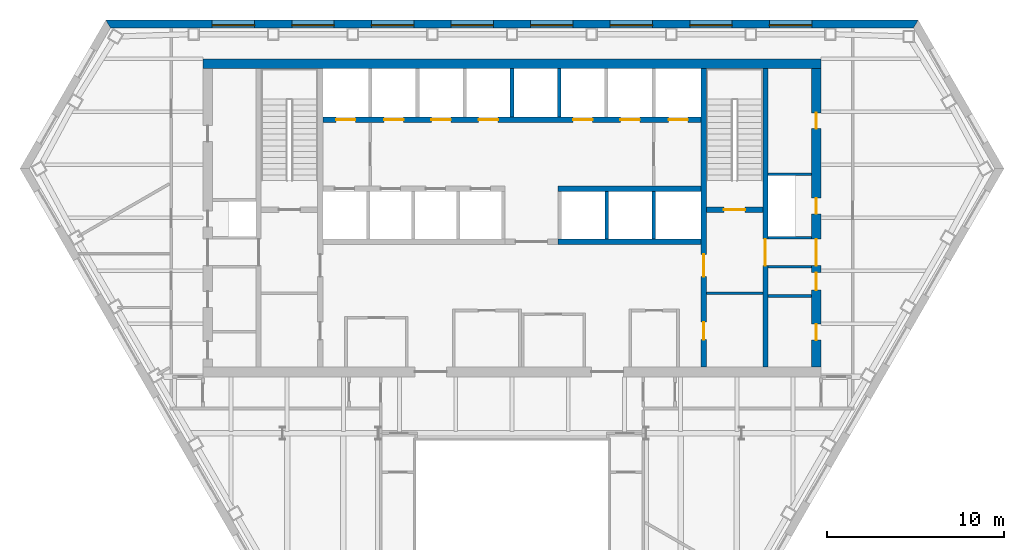
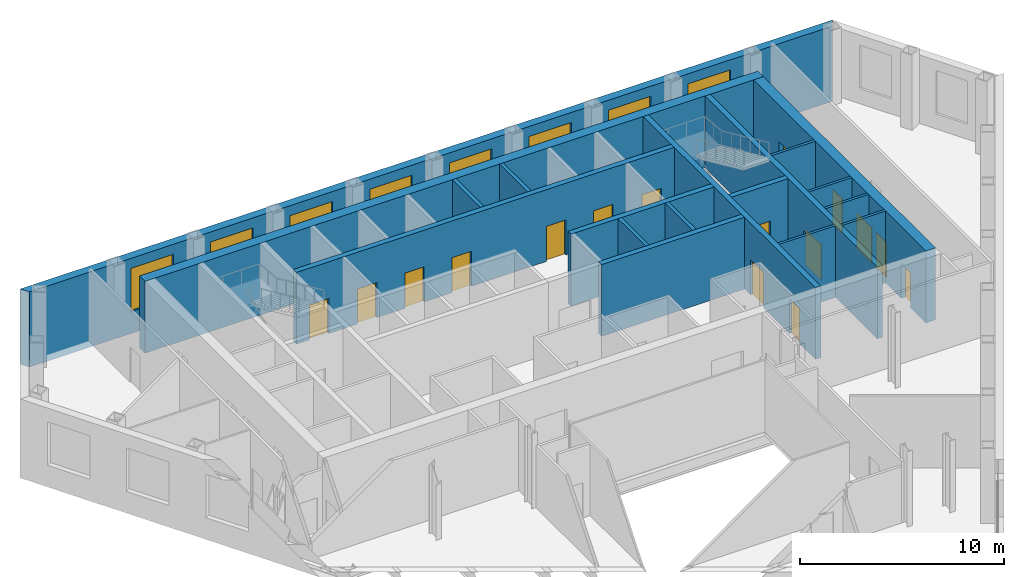
# One storey, part 7 of 11: 18 walls, 16 doors, 8 windows, 24 openings.
"""IFC4 building model written with IfcOpenShell, lengths in metres."""

from ifc_helpers import new_model, si_unit, direction, frame, frame_2d, origin, place, context, subcontext, project, spatial, polyline, rectangle, outline, extrude, material, layer, layer_set, type_object, element, fill, save


model = new_model("IFC4")

# Units and contexts
model_context = context("Model", 3, precision=1e-05, world=origin(), true_north=direction((0.0, 1.0)))
body_context = subcontext(model_context, "Body", "Model", "MODEL_VIEW")
ifc_project = project(units=[si_unit("LENGTHUNIT", "METRE"), si_unit("AREAUNIT", "SQUARE_METRE"), si_unit("VOLUMEUNIT", "CUBIC_METRE"), si_unit("PLANEANGLEUNIT", "RADIAN"), si_unit("MASSUNIT", "GRAM", prefix="KILO")], contexts=[model_context])

# Site, building, storey
site_placement = place(None, origin())
site = spatial("IfcSite", under=ifc_project, at=site_placement, CompositionType="ELEMENT")
building_placement = place(site_placement, origin())
building = spatial("IfcBuilding", under=site, at=building_placement, Name="Njiva Tower", CompositionType="ELEMENT")
storey_placement = place(building_placement, frame((0.0, 0.0, 120.3)))
storey = spatial("IfcBuildingStorey", under=building, at=storey_placement, Name="L25", CompositionType="ELEMENT", Elevation=120.3)

# Walls
ifc_material_1 = material(Name="Blockwork", Category="masonry")
ifc_layer_1 = layer(ifc_material_1, 0.15)
ifc_layer_set_1 = layer_set([ifc_layer_1], Name="Blockwork")
wall_type_1 = type_object("IfcWallType", Name="WT1 Compartment partition 150", PredefinedType="PARTITIONING", material=ifc_layer_set_1)
wall_1_placement = place(storey_placement, frame((11.0, 4.725, 0.0), z_axis=(0.0, 0.0, 1.0), x_axis=(1.0, 0.0, 0.0)))
element("IfcWall", 1, at=wall_1_placement, inside=storey, type_object=wall_type_1, Name="Room wall B", PredefinedType="PARTITIONING", context=body_context, shape_type="SweptSolid", body=[
    extrude(rectangle(XDim=3.2, YDim=0.15, at=frame_2d((1.6, 0.0))), origin(), (0.0, 0.0, 1.0), 4.3),
])
wall_2_placement = place(storey_placement, frame((14.5, 4.575, 0.0), z_axis=(0.0, 0.0, 1.0), x_axis=(1.0, 0.0, 0.0)))
element("IfcWall", 2, at=wall_2_placement, inside=storey, type_object=wall_type_1, Name="Partition strip E00", PredefinedType="PARTITIONING", context=body_context, shape_type="SweptSolid", body=[
    extrude(rectangle(XDim=2.45, YDim=0.15, at=frame_2d((1.225, 0.0))), origin(), (0.0, 0.0, 1.0), 4.3),
])

# Wall, openings, doors
ifc_material_2 = material(Name="Concrete C40/50", Category="concrete")
ifc_layer_2 = layer(ifc_material_2, 0.3)
ifc_layer_set_2 = layer_set([ifc_layer_2], Name="Concrete C40/50")
wall_type_2 = type_object("IfcWallType", Name="WT10 Stair enclosure wall 300", PredefinedType="SHEAR", material=ifc_layer_set_2)
wall_3_placement = place(storey_placement, frame((10.85, 0.55, 0.0), z_axis=(0.0, 0.0, 1.0), x_axis=(0.0, 1.0, 0.0)))
wall_3 = element("IfcWall", 3, at=wall_3_placement, inside=storey, type_object=wall_type_2, Name="Stair wall east inner", PredefinedType="SHEAR", context=body_context, shape_type="SweptSolid", body=[
    extrude(rectangle(XDim=16.9, YDim=0.3, at=frame_2d((8.45, 0.0))), origin(), (0.0, 0.0, 1.0), 4.3),
])
opening_1_placement = place(wall_3_placement, frame((5.125, 0.0, 0.0)))
opening_1 = element("IfcOpeningElement", 4, at=opening_1_placement, cuts=wall_3, Name="Opening S08-D918", PredefinedType="OPENING", context=body_context, shape_type="SweptSolid", body=[
    extrude(rectangle(XDim=1.25, YDim=2.1, at=frame_2d((0.625, 1.05))), frame((0.0, 0.16, 0.0), z_axis=(0.0, -1.0, 0.0), x_axis=(1.0, 0.0, 0.0)), (0.0, 0.0, 1.0), 0.32),
])
opening_2_placement = place(wall_3_placement, frame((1.55, 0.0, 0.0)))
opening_2 = element("IfcOpeningElement", 5, at=opening_2_placement, cuts=wall_3, Name="Opening S08-D919", PredefinedType="OPENING", context=body_context, shape_type="SweptSolid", body=[
    extrude(rectangle(XDim=1.0, YDim=2.1, at=frame_2d((0.5, 1.05))), frame((0.0, 0.16, 0.0), z_axis=(0.0, -1.0, 0.0), x_axis=(1.0, 0.0, 0.0)), (0.0, 0.0, 1.0), 0.32),
])
ifc_material_3 = material(Name="Steel door, painted", Category="steel")
door_type_1 = type_object("IfcDoorType", Name="D5 Steel door 1000x2100", OperationType="SINGLE_SWING_LEFT", PredefinedType="DOOR", material=ifc_material_3)
door_1_placement = place(opening_2_placement, origin())
door_1 = element("IfcDoor", 6, at=door_1_placement, inside=storey, type_object=door_type_1, Name="First aid room door", OperationType="SINGLE_SWING_LEFT", OverallHeight=2.1, OverallWidth=1.0, PredefinedType="DOOR", context=body_context, shape_type="SweptSolid", body=[
    extrude(rectangle(XDim=1.0, YDim=2.1, at=frame_2d((0.5, 1.05))), frame((0.0, 0.025, 0.0), z_axis=(0.0, -1.0, 0.0), x_axis=(1.0, 0.0, 0.0)), (0.0, 0.0, 1.0), 0.05),
])
fill(opening_2, door_1)
ifc_material_4 = material(Name="Glazed steel fire door", Category="steel")
door_type_2 = type_object("IfcDoorType", Name="D8 Vestibule corridor door 1250x2100 glazed", OperationType="SINGLE_SWING_LEFT", PredefinedType="DOOR", material=ifc_material_4)
door_2_placement = place(opening_1_placement, origin())
door_2 = element("IfcDoor", 7, at=door_2_placement, inside=storey, type_object=door_type_2, Name="Stair vestibule corridor door", OperationType="SINGLE_SWING_RIGHT", OverallHeight=2.1, OverallWidth=1.25, PredefinedType="DOOR", context=body_context, shape_type="SweptSolid", body=[
    extrude(rectangle(XDim=1.25, YDim=2.1, at=frame_2d((0.625, 1.05))), frame((0.0, 0.025, 0.0), z_axis=(0.0, -1.0, 0.0), x_axis=(1.0, 0.0, 0.0)), (0.0, 0.0, 1.0), 0.05),
])
fill(opening_1, door_2)

# Wall, opening, door
wall_4_placement = place(storey_placement, frame((14.35, 0.55, 0.0), z_axis=(0.0, 0.0, 1.0), x_axis=(0.0, 1.0, 0.0)))
wall_4 = element("IfcWall", 8, at=wall_4_placement, inside=storey, type_object=wall_type_2, Name="Stair wall east outer", PredefinedType="SHEAR", context=body_context, shape_type="SweptSolid", body=[
    extrude(rectangle(XDim=16.9, YDim=0.3, at=frame_2d((8.45, 0.0))), origin(), (0.0, 0.0, 1.0), 4.3),
])
opening_3_placement = place(wall_4_placement, frame((5.75, 0.0, 0.0)))
opening_3 = element("IfcOpeningElement", 9, at=opening_3_placement, cuts=wall_4, Name="Opening S08-D926", PredefinedType="OPENING", context=body_context, shape_type="SweptSolid", body=[
    extrude(rectangle(XDim=1.5, YDim=2.1, at=frame_2d((0.75, 1.05))), frame((0.0, 0.16, 0.0), z_axis=(0.0, -1.0, 0.0), x_axis=(1.0, 0.0, 0.0)), (0.0, 0.0, 1.0), 0.32),
])
door_type_3 = type_object("IfcDoorType", Name="D10 Exit door double 1500x2100 glazed", OperationType="DOUBLE_DOOR_SINGLE_SWING", PredefinedType="DOOR", material=ifc_material_4)
door_3_placement = place(opening_3_placement, origin())
door_3 = element("IfcDoor", 10, at=door_3_placement, inside=storey, type_object=door_type_3, Name="Stair B passage door", OperationType="DOUBLE_DOOR_SINGLE_SWING", OverallHeight=2.1, OverallWidth=1.5, PredefinedType="DOOR", context=body_context, shape_type="SweptSolid", body=[
    extrude(rectangle(XDim=1.5, YDim=2.1, at=frame_2d((0.75, 1.05))), frame((0.0, 0.025, 0.0), z_axis=(0.0, -1.0, 0.0), x_axis=(1.0, 0.0, 0.0)), (0.0, 0.0, 1.0), 0.05),
])
fill(opening_3, door_3)

wall_5_placement = place(storey_placement, frame((11.0, 9.45, 0.0), z_axis=(0.0, 0.0, 1.0), x_axis=(1.0, 0.0, 0.0)))
wall_5 = element("IfcWall", 11, at=wall_5_placement, inside=storey, type_object=wall_type_2, Name="Stair B south wall", PredefinedType="SHEAR", context=body_context, shape_type="SweptSolid", body=[
    extrude(rectangle(XDim=3.2, YDim=0.3, at=frame_2d((1.6, 0.0))), origin(), (0.0, 0.0, 1.0), 4.3),
])
opening_4_placement = place(wall_5_placement, frame((1.0, 0.0, 0.0)))
opening_4 = element("IfcOpeningElement", 12, at=opening_4_placement, cuts=wall_5, Name="Opening S08-D917", PredefinedType="OPENING", context=body_context, shape_type="SweptSolid", body=[
    extrude(rectangle(XDim=1.2, YDim=2.1, at=frame_2d((0.6, 1.05))), frame((0.0, 0.16, 0.0), z_axis=(0.0, -1.0, 0.0), x_axis=(1.0, 0.0, 0.0)), (0.0, 0.0, 1.0), 0.32),
])
door_type_4 = type_object("IfcDoorType", Name="D7 Stair vestibule door 1200x2100 glazed", OperationType="SINGLE_SWING_LEFT", PredefinedType="DOOR", material=ifc_material_4)
door_4_placement = place(opening_4_placement, origin())
door_4 = element("IfcDoor", 13, at=door_4_placement, inside=storey, type_object=door_type_4, Name="Stair B door", OperationType="SINGLE_SWING_LEFT", OverallHeight=2.1, OverallWidth=1.2, PredefinedType="DOOR", context=body_context, shape_type="SweptSolid", body=[
    extrude(rectangle(XDim=1.2, YDim=2.1, at=frame_2d((0.6, 1.05))), frame((0.0, 0.025, 0.0), z_axis=(0.0, -1.0, 0.0), x_axis=(1.0, 0.0, 0.0)), (0.0, 0.0, 1.0), 0.05),
])
fill(opening_4, door_4)

# Wall
ifc_material_5 = material(Name="Concrete C60/75", Category="concrete")
ifc_layer_3 = layer(ifc_material_5, 0.55)
ifc_layer_set_3 = layer_set([ifc_layer_3], Name="Concrete C60/75")
wall_type_3 = type_object("IfcWallType", Name="WT14 Core wall 550", PredefinedType="SHEAR", material=ifc_layer_set_3)
wall_6_placement = place(storey_placement, frame((-17.5, 17.725, 0.0), z_axis=(0.0, 0.0, 1.0), x_axis=(1.0, 0.0, 0.0)))
element("IfcWall", 14, at=wall_6_placement, inside=storey, type_object=wall_type_3, Name="Core wall north", PredefinedType="SHEAR", context=body_context, shape_type="SweptSolid", body=[
    extrude(rectangle(XDim=35.0, YDim=0.55, at=frame_2d((17.5, 0.0))), origin(), (0.0, 0.0, 1.0), 4.3),
])

# Wall, openings, doors
wall_7_placement = place(storey_placement, frame((17.225, 0.55, 0.0), z_axis=(0.0, 0.0, 1.0), x_axis=(0.0, 1.0, 0.0)))
wall_7 = element("IfcWall", 15, at=wall_7_placement, inside=storey, type_object=wall_type_3, Name="Core wall east", PredefinedType="SHEAR", context=body_context, shape_type="SweptSolid", body=[
    extrude(rectangle(XDim=16.9, YDim=0.55, at=frame_2d((8.45, 0.0))), origin(), (0.0, 0.0, 1.0), 4.3),
])
opening_5_placement = place(wall_7_placement, frame((5.75, 0.0, 0.0)))
opening_5 = element("IfcOpeningElement", 16, at=opening_5_placement, cuts=wall_7, Name="Opening S08-D927", PredefinedType="OPENING", context=body_context, shape_type="SweptSolid", body=[
    extrude(rectangle(XDim=1.5, YDim=2.1, at=frame_2d((0.75, 1.05))), frame((0.0, 0.285, 0.0), z_axis=(0.0, -1.0, 0.0), x_axis=(1.0, 0.0, 0.0)), (0.0, 0.0, 1.0), 0.57),
])
opening_6_placement = place(wall_7_placement, frame((1.525, 0.0, 0.0)))
opening_6 = element("IfcOpeningElement", 17, at=opening_6_placement, cuts=wall_7, Name="Opening S08-D928", PredefinedType="OPENING", context=body_context, shape_type="SweptSolid", body=[
    extrude(rectangle(XDim=0.9, YDim=2.1, at=frame_2d((0.45, 1.05))), frame((0.0, 0.285, 0.0), z_axis=(0.0, -1.0, 0.0), x_axis=(1.0, 0.0, 0.0)), (0.0, 0.0, 1.0), 0.57),
])
opening_7_placement = place(wall_7_placement, frame((4.35, 0.0, 0.0)))
opening_7 = element("IfcOpeningElement", 18, at=opening_7_placement, cuts=wall_7, Name="Opening S08-D929", PredefinedType="OPENING", context=body_context, shape_type="SweptSolid", body=[
    extrude(rectangle(XDim=1.0, YDim=2.1, at=frame_2d((0.5, 1.05))), frame((0.0, 0.285, 0.0), z_axis=(0.0, -1.0, 0.0), x_axis=(1.0, 0.0, 0.0)), (0.0, 0.0, 1.0), 0.57),
])
opening_8_placement = place(wall_7_placement, frame((8.6724, 0.0, 0.0)))
opening_8 = element("IfcOpeningElement", 19, at=opening_8_placement, cuts=wall_7, Name="Opening S08-D930", PredefinedType="OPENING", context=body_context, shape_type="SweptSolid", body=[
    extrude(rectangle(XDim=0.9, YDim=2.1, at=frame_2d((0.45, 1.05))), frame((0.0, 0.285, 0.0), z_axis=(0.0, -1.0, 0.0), x_axis=(1.0, 0.0, 0.0)), (0.0, 0.0, 1.0), 0.57),
])
opening_9_placement = place(wall_7_placement, frame((13.4974, 0.0, 0.0)))
opening_9 = element("IfcOpeningElement", 20, at=opening_9_placement, cuts=wall_7, Name="Opening S08-D931", PredefinedType="OPENING", context=body_context, shape_type="SweptSolid", body=[
    extrude(rectangle(XDim=0.9, YDim=2.1, at=frame_2d((0.45, 1.05))), frame((0.0, 0.285, 0.0), z_axis=(0.0, -1.0, 0.0), x_axis=(1.0, 0.0, 0.0)), (0.0, 0.0, 1.0), 0.57),
])
door_5_placement = place(opening_5_placement, origin())
door_5 = element("IfcDoor", 21, at=door_5_placement, inside=storey, type_object=door_type_3, Name="Stair B corridor door", OperationType="DOUBLE_DOOR_SINGLE_SWING", OverallHeight=2.1, OverallWidth=1.5, PredefinedType="DOOR", context=body_context, shape_type="SweptSolid", body=[
    extrude(rectangle(XDim=1.5, YDim=2.1, at=frame_2d((0.75, 1.05))), frame((0.0, 0.025, 0.0), z_axis=(0.0, -1.0, 0.0), x_axis=(1.0, 0.0, 0.0)), (0.0, 0.0, 1.0), 0.05),
])
fill(opening_5, door_5)
door_type_5 = type_object("IfcDoorType", Name="D4 Riser door 900x2100", OperationType="SINGLE_SWING_LEFT", PredefinedType="DOOR", material=ifc_material_3)
door_6_placement = place(opening_8_placement, origin())
door_6 = element("IfcDoor", 22, at=door_6_placement, inside=storey, type_object=door_type_5, Name="Riser door", OperationType="SINGLE_SWING_RIGHT", OverallHeight=2.1, OverallWidth=0.9, PredefinedType="DOOR", context=body_context, shape_type="SweptSolid", body=[
    extrude(rectangle(XDim=0.9, YDim=2.1, at=frame_2d((0.45, 1.05))), frame((0.0, 0.025, 0.0), z_axis=(0.0, -1.0, 0.0), x_axis=(1.0, 0.0, 0.0)), (0.0, 0.0, 1.0), 0.05),
])
fill(opening_8, door_6)
door_7_placement = place(opening_7_placement, origin())
door_7 = element("IfcDoor", 23, at=door_7_placement, inside=storey, type_object=door_type_1, Name="Telecoms room door", OperationType="SINGLE_SWING_RIGHT", OverallHeight=2.1, OverallWidth=1.0, PredefinedType="DOOR", context=body_context, shape_type="SweptSolid", body=[
    extrude(rectangle(XDim=1.0, YDim=2.1, at=frame_2d((0.5, 1.05))), frame((0.0, 0.025, 0.0), z_axis=(0.0, -1.0, 0.0), x_axis=(1.0, 0.0, 0.0)), (0.0, 0.0, 1.0), 0.05),
])
fill(opening_7, door_7)
ifc_material_6 = material(Name="Steel fire door, painted", Category="steel")
door_type_6 = type_object("IfcDoorType", Name="D6 Fire-rated door 900x2100", OperationType="SINGLE_SWING_LEFT", PredefinedType="DOOR", material=ifc_material_6)
door_8_placement = place(opening_6_placement, origin())
door_8 = element("IfcDoor", 24, at=door_8_placement, inside=storey, type_object=door_type_6, Name="Meeting room door", OperationType="SINGLE_SWING_RIGHT", OverallHeight=2.1, OverallWidth=0.9, PredefinedType="DOOR", context=body_context, shape_type="SweptSolid", body=[
    extrude(rectangle(XDim=0.9, YDim=2.1, at=frame_2d((0.45, 1.05))), frame((0.0, 0.025, 0.0), z_axis=(0.0, -1.0, 0.0), x_axis=(1.0, 0.0, 0.0)), (0.0, 0.0, 1.0), 0.05),
])
fill(opening_6, door_8)
door_9_placement = place(opening_9_placement, origin())
door_9 = element("IfcDoor", 25, at=door_9_placement, inside=storey, type_object=door_type_6, Name="First aid room door", OperationType="SINGLE_SWING_LEFT", OverallHeight=2.1, OverallWidth=0.9, PredefinedType="DOOR", context=body_context, shape_type="SweptSolid", body=[
    extrude(rectangle(XDim=0.9, YDim=2.1, at=frame_2d((0.45, 1.05))), frame((0.0, 0.025, 0.0), z_axis=(0.0, -1.0, 0.0), x_axis=(1.0, 0.0, 0.0)), (0.0, 0.0, 1.0), 0.05),
])
fill(opening_9, door_9)

# Walls
ifc_layer_4 = layer(ifc_material_1, 0.15)
ifc_layer_set_4 = layer_set([ifc_layer_4], Name="Blockwork")
wall_type_4 = type_object("IfcWallType", Name="WT3 Riser partition 150", PredefinedType="PARTITIONING", material=ifc_layer_set_4)
wall_8_placement = place(storey_placement, frame((14.5, 11.4697, 0.0), z_axis=(0.0, 0.0, 1.0), x_axis=(1.0, 0.0, 0.0)))
element("IfcWall", 26, at=wall_8_placement, inside=storey, type_object=wall_type_4, Name="Partition strip E10", PredefinedType="PARTITIONING", context=body_context, shape_type="SweptSolid", body=[
    extrude(rectangle(XDim=2.45, YDim=0.15, at=frame_2d((1.225, 0.0))), origin(), (0.0, 0.0, 1.0), 4.3),
])
ifc_layer_5 = layer(ifc_material_1, 0.15)
ifc_layer_set_5 = layer_set([ifc_layer_5], Name="Blockwork")
wall_type_5 = type_object("IfcWallType", Name="WT4 Stair partition 150", PredefinedType="PARTITIONING", material=ifc_layer_set_5)
for number, where, z_axis, x_axis, name in (
    (27, (14.5, 6.225, 0.0), (0.0, 0.0, 1.0), (1.0, 0.0, 0.0), "Stair B exit passage wall south"),
    (28, (14.5, 7.875, 0.0), (0.0, 0.0, 1.0), (1.0, 0.0, 0.0), "Stair B exit passage wall north"),
):
    element("IfcWall", number, at=place(storey_placement, frame(where, z_axis=z_axis, x_axis=x_axis)), inside=storey, type_object=wall_type_5, Name=name, PredefinedType="PARTITIONING", context=body_context, shape_type="SweptSolid", body=[
        extrude(rectangle(XDim=2.45, YDim=0.15, at=frame_2d((1.225, 0.0))), origin(), (0.0, 0.0, 1.0), 4.3),
    ])
ifc_layer_6 = layer(ifc_material_2, 0.2)
ifc_layer_set_6 = layer_set([ifc_layer_6], Name="Concrete C40/50")
wall_type_6 = type_object("IfcWallType", Name="WT6 Lift shaft wall 200", PredefinedType="SHEAR", material=ifc_layer_set_6)
for number, where, z_axis, x_axis, name in (
    (29, (0.0, 14.7, 0.0), (0.0, 0.0, 1.0), (0.0, 1.0, 0.0), "Shaft wall CN4"),
    (30, (2.675, 14.7, 0.0), (0.0, 0.0, 1.0), (0.0, 1.0, 0.0), "Shaft wall CN5"),
):
    element("IfcWall", number, at=place(storey_placement, frame(where, z_axis=z_axis, x_axis=x_axis)), inside=storey, type_object=wall_type_6, Name=name, PredefinedType="SHEAR", context=body_context, shape_type="SweptSolid", body=[
        extrude(rectangle(XDim=2.75, YDim=0.2, at=frame_2d((1.375, 0.0))), origin(), (0.0, 0.0, 1.0), 4.3),
    ])
for number, where, z_axis, x_axis, name in (
    (31, (5.3667, 7.8, 0.0), (0.0, 0.0, 1.0), (0.0, 1.0, 0.0), "Shaft wall CS6"),
    (32, (8.0333, 7.8, 0.0), (0.0, 0.0, 1.0), (0.0, 1.0, 0.0), "Shaft wall CS7"),
):
    element("IfcWall", number, at=place(storey_placement, frame(where, z_axis=z_axis, x_axis=x_axis)), inside=storey, type_object=wall_type_6, Name=name, PredefinedType="SHEAR", context=body_context, shape_type="SweptSolid", body=[
        extrude(rectangle(XDim=2.7, YDim=0.2, at=frame_2d((1.35, 0.0))), origin(), (0.0, 0.0, 1.0), 4.3),
    ])

# Wall, openings, doors
ifc_layer_7 = layer(ifc_material_2, 0.3)
ifc_layer_set_7 = layer_set([ifc_layer_7], Name="Concrete C40/50")
wall_type_7 = type_object("IfcWallType", Name="WT7 Lift shaft wall 300", PredefinedType="SHEAR", material=ifc_layer_set_7)
wall_9_placement = place(storey_placement, frame((-10.7, 14.55, 0.0), z_axis=(0.0, 0.0, 1.0), x_axis=(1.0, 0.0, 0.0)))
wall_9 = element("IfcWall", 33, at=wall_9_placement, inside=storey, type_object=wall_type_7, Name="Shaft wall north row lobby side", PredefinedType="SHEAR", context=body_context, shape_type="SweptSolid", body=[
    extrude(rectangle(XDim=21.4, YDim=0.3, at=frame_2d((10.7, 0.0))), origin(), (0.0, 0.0, 1.0), 4.3),
])
opening_10_placement = place(wall_9_placement, frame((0.7375, 0.0, 0.0)))
opening_10 = element("IfcOpeningElement", 34, at=opening_10_placement, cuts=wall_9, Name="Opening S08-D901", PredefinedType="OPENING", context=body_context, shape_type="SweptSolid", body=[
    extrude(rectangle(XDim=1.1, YDim=2.1, at=frame_2d((0.55, 1.05))), frame((0.0, 0.16, 0.0), z_axis=(0.0, -1.0, 0.0), x_axis=(1.0, 0.0, 0.0)), (0.0, 0.0, 1.0), 0.32),
])
opening_11_placement = place(wall_9_placement, frame((3.4625, 0.0, 0.0)))
opening_11 = element("IfcOpeningElement", 35, at=opening_11_placement, cuts=wall_9, Name="Opening S08-D902", PredefinedType="OPENING", context=body_context, shape_type="SweptSolid", body=[
    extrude(rectangle(XDim=1.1, YDim=2.1, at=frame_2d((0.55, 1.05))), frame((0.0, 0.16, 0.0), z_axis=(0.0, -1.0, 0.0), x_axis=(1.0, 0.0, 0.0)), (0.0, 0.0, 1.0), 0.32),
])
opening_12_placement = place(wall_9_placement, frame((6.1375, 0.0, 0.0)))
opening_12 = element("IfcOpeningElement", 36, at=opening_12_placement, cuts=wall_9, Name="Opening S08-D903", PredefinedType="OPENING", context=body_context, shape_type="SweptSolid", body=[
    extrude(rectangle(XDim=1.1, YDim=2.1, at=frame_2d((0.55, 1.05))), frame((0.0, 0.16, 0.0), z_axis=(0.0, -1.0, 0.0), x_axis=(1.0, 0.0, 0.0)), (0.0, 0.0, 1.0), 0.32),
])
opening_13_placement = place(wall_9_placement, frame((8.8125, 0.0, 0.0)))
opening_13 = element("IfcOpeningElement", 37, at=opening_13_placement, cuts=wall_9, Name="Opening S08-D904", PredefinedType="OPENING", context=body_context, shape_type="SweptSolid", body=[
    extrude(rectangle(XDim=1.1, YDim=2.1, at=frame_2d((0.55, 1.05))), frame((0.0, 0.16, 0.0), z_axis=(0.0, -1.0, 0.0), x_axis=(1.0, 0.0, 0.0)), (0.0, 0.0, 1.0), 0.32),
])
opening_14_placement = place(wall_9_placement, frame((14.1625, 0.0, 0.0)))
opening_14 = element("IfcOpeningElement", 38, at=opening_14_placement, cuts=wall_9, Name="Opening S08-D905", PredefinedType="OPENING", context=body_context, shape_type="SweptSolid", body=[
    extrude(rectangle(XDim=1.1, YDim=2.1, at=frame_2d((0.55, 1.05))), frame((0.0, 0.16, 0.0), z_axis=(0.0, -1.0, 0.0), x_axis=(1.0, 0.0, 0.0)), (0.0, 0.0, 1.0), 0.32),
])
opening_15_placement = place(wall_9_placement, frame((16.8375, 0.0, 0.0)))
opening_15 = element("IfcOpeningElement", 39, at=opening_15_placement, cuts=wall_9, Name="Opening S08-D906", PredefinedType="OPENING", context=body_context, shape_type="SweptSolid", body=[
    extrude(rectangle(XDim=1.1, YDim=2.1, at=frame_2d((0.55, 1.05))), frame((0.0, 0.16, 0.0), z_axis=(0.0, -1.0, 0.0), x_axis=(1.0, 0.0, 0.0)), (0.0, 0.0, 1.0), 0.32),
])
opening_16_placement = place(wall_9_placement, frame((19.5625, 0.0, 0.0)))
opening_16 = element("IfcOpeningElement", 40, at=opening_16_placement, cuts=wall_9, Name="Opening S08-D907", PredefinedType="OPENING", context=body_context, shape_type="SweptSolid", body=[
    extrude(rectangle(XDim=1.1, YDim=2.1, at=frame_2d((0.55, 1.05))), frame((0.0, 0.16, 0.0), z_axis=(0.0, -1.0, 0.0), x_axis=(1.0, 0.0, 0.0)), (0.0, 0.0, 1.0), 0.32),
])
ifc_material_7 = material(Name="Stainless steel sliding door", Category="steel")
door_type_7 = type_object("IfcDoorType", Name="LD Lift landing door 1100x2100", OperationType="SLIDING_TO_LEFT", PredefinedType="DOOR", material=ifc_material_7)
door_10_placement = place(opening_10_placement, origin())
door_10 = element("IfcDoor", 41, at=door_10_placement, inside=storey, type_object=door_type_7, Name="Lift landing door FF1", OperationType="SLIDING_TO_LEFT", OverallHeight=2.1, OverallWidth=1.1, PredefinedType="DOOR", context=body_context, shape_type="SweptSolid", body=[
    extrude(rectangle(XDim=1.1, YDim=2.1, at=frame_2d((0.55, 1.05))), frame((0.0, 0.025, 0.0), z_axis=(0.0, -1.0, 0.0), x_axis=(1.0, 0.0, 0.0)), (0.0, 0.0, 1.0), 0.05),
])
fill(opening_10, door_10)
door_11_placement = place(opening_11_placement, origin())
door_11 = element("IfcDoor", 42, at=door_11_placement, inside=storey, type_object=door_type_7, Name="Lift landing door LB1", OperationType="SLIDING_TO_LEFT", OverallHeight=2.1, OverallWidth=1.1, PredefinedType="DOOR", context=body_context, shape_type="SweptSolid", body=[
    extrude(rectangle(XDim=1.1, YDim=2.1, at=frame_2d((0.55, 1.05))), frame((0.0, 0.025, 0.0), z_axis=(0.0, -1.0, 0.0), x_axis=(1.0, 0.0, 0.0)), (0.0, 0.0, 1.0), 0.05),
])
fill(opening_11, door_11)
door_12_placement = place(opening_12_placement, origin())
door_12 = element("IfcDoor", 43, at=door_12_placement, inside=storey, type_object=door_type_7, Name="Lift landing door LB2", OperationType="SLIDING_TO_LEFT", OverallHeight=2.1, OverallWidth=1.1, PredefinedType="DOOR", context=body_context, shape_type="SweptSolid", body=[
    extrude(rectangle(XDim=1.1, YDim=2.1, at=frame_2d((0.55, 1.05))), frame((0.0, 0.025, 0.0), z_axis=(0.0, -1.0, 0.0), x_axis=(1.0, 0.0, 0.0)), (0.0, 0.0, 1.0), 0.05),
])
fill(opening_12, door_12)
door_13_placement = place(opening_13_placement, origin())
door_13 = element("IfcDoor", 44, at=door_13_placement, inside=storey, type_object=door_type_7, Name="Lift landing door LB3", OperationType="SLIDING_TO_LEFT", OverallHeight=2.1, OverallWidth=1.1, PredefinedType="DOOR", context=body_context, shape_type="SweptSolid", body=[
    extrude(rectangle(XDim=1.1, YDim=2.1, at=frame_2d((0.55, 1.05))), frame((0.0, 0.025, 0.0), z_axis=(0.0, -1.0, 0.0), x_axis=(1.0, 0.0, 0.0)), (0.0, 0.0, 1.0), 0.05),
])
fill(opening_13, door_13)
door_14_placement = place(opening_14_placement, origin())
door_14 = element("IfcDoor", 45, at=door_14_placement, inside=storey, type_object=door_type_7, Name="Lift landing door FR1", OperationType="SLIDING_TO_LEFT", OverallHeight=2.1, OverallWidth=1.1, PredefinedType="DOOR", context=body_context, shape_type="SweptSolid", body=[
    extrude(rectangle(XDim=1.1, YDim=2.1, at=frame_2d((0.55, 1.05))), frame((0.0, 0.025, 0.0), z_axis=(0.0, -1.0, 0.0), x_axis=(1.0, 0.0, 0.0)), (0.0, 0.0, 1.0), 0.05),
])
fill(opening_14, door_14)
door_15_placement = place(opening_15_placement, origin())
door_15 = element("IfcDoor", 46, at=door_15_placement, inside=storey, type_object=door_type_7, Name="Lift landing door FR2", OperationType="SLIDING_TO_LEFT", OverallHeight=2.1, OverallWidth=1.1, PredefinedType="DOOR", context=body_context, shape_type="SweptSolid", body=[
    extrude(rectangle(XDim=1.1, YDim=2.1, at=frame_2d((0.55, 1.05))), frame((0.0, 0.025, 0.0), z_axis=(0.0, -1.0, 0.0), x_axis=(1.0, 0.0, 0.0)), (0.0, 0.0, 1.0), 0.05),
])
fill(opening_15, door_15)
door_16_placement = place(opening_16_placement, origin())
door_16 = element("IfcDoor", 47, at=door_16_placement, inside=storey, type_object=door_type_7, Name="Lift landing door FF2", OperationType="SLIDING_TO_LEFT", OverallHeight=2.1, OverallWidth=1.1, PredefinedType="DOOR", context=body_context, shape_type="SweptSolid", body=[
    extrude(rectangle(XDim=1.1, YDim=2.1, at=frame_2d((0.55, 1.05))), frame((0.0, 0.025, 0.0), z_axis=(0.0, -1.0, 0.0), x_axis=(1.0, 0.0, 0.0)), (0.0, 0.0, 1.0), 0.05),
])
fill(opening_16, door_16)

# Walls
for number, where, z_axis, x_axis, name in (
    (48, (2.6, 10.65, 0.0), (0.0, 0.0, 1.0), (1.0, 0.0, 0.0), "Shaft wall south row lobby side E"),
    (49, (2.6, 7.65, 0.0), (0.0, 0.0, 1.0), (1.0, 0.0, 0.0), "Shaft wall south row back E"),
):
    element("IfcWall", number, at=place(storey_placement, frame(where, z_axis=z_axis, x_axis=x_axis)), inside=storey, type_object=wall_type_7, Name=name, PredefinedType="SHEAR", context=body_context, shape_type="SweptSolid", body=[
        extrude(rectangle(XDim=8.1, YDim=0.3, at=frame_2d((4.05, 0.0))), origin(), (0.0, 0.0, 1.0), 4.3),
    ])

# Wall, openings, windows
ifc_material_8 = material(Name="Brick masonry", Category="masonry")
ifc_layer_8 = layer(ifc_material_8, 0.45)
ifc_layer_set_8 = layer_set([ifc_layer_8], Name="Brick masonry")
wall_type_8 = type_object("IfcWallType", Name="WT90 Brick pier and spandrel wall 450", PredefinedType="SOLIDWALL", material=ifc_layer_set_8)
wall_10_placement = place(storey_placement, frame((22.8651, 19.975, -0.4), z_axis=(0.0, 0.0, 1.0), x_axis=(-1.0, 0.0, 0.0)))
wall_10 = element("IfcWall", 50, at=wall_10_placement, inside=storey, type_object=wall_type_8, Name="Facade wall N", PredefinedType="SOLIDWALL", context=body_context, shape_type="SweptSolid", body=[
    extrude(outline(polyline([(-0.1299, -0.225), (45.8601, -0.225), (45.6003, 0.225), (0.1299, 0.225), (-0.1299, -0.225)])), origin(), (0.0, 0.0, 1.0), 4.5),
])
opening_17_placement = place(wall_10_placement, frame((5.8919, 0.0, 1.3)))
opening_17 = element("IfcOpeningElement", 51, at=opening_17_placement, cuts=wall_10, Name="Opening S08-W01", PredefinedType="OPENING", context=body_context, shape_type="SweptSolid", body=[
    extrude(rectangle(XDim=2.4, YDim=2.6, at=frame_2d((1.2, 1.3))), frame((0.0, 0.235, 0.0), z_axis=(0.0, -1.0, 0.0), x_axis=(1.0, 0.0, 0.0)), (0.0, 0.0, 1.0), 0.47),
])
opening_18_placement = place(wall_10_placement, frame((10.3985, 0.0, 1.3)))
opening_18 = element("IfcOpeningElement", 52, at=opening_18_placement, cuts=wall_10, Name="Opening S08-W02", PredefinedType="OPENING", context=body_context, shape_type="SweptSolid", body=[
    extrude(rectangle(XDim=2.4, YDim=2.6, at=frame_2d((1.2, 1.3))), frame((0.0, 0.235, 0.0), z_axis=(0.0, -1.0, 0.0), x_axis=(1.0, 0.0, 0.0)), (0.0, 0.0, 1.0), 0.47),
])
opening_19_placement = place(wall_10_placement, frame((14.9052, 0.0, 1.3)))
opening_19 = element("IfcOpeningElement", 53, at=opening_19_placement, cuts=wall_10, Name="Opening S08-W03", PredefinedType="OPENING", context=body_context, shape_type="SweptSolid", body=[
    extrude(rectangle(XDim=2.4, YDim=2.6, at=frame_2d((1.2, 1.3))), frame((0.0, 0.235, 0.0), z_axis=(0.0, -1.0, 0.0), x_axis=(1.0, 0.0, 0.0)), (0.0, 0.0, 1.0), 0.47),
])
opening_20_placement = place(wall_10_placement, frame((19.4118, 0.0, 1.3)))
opening_20 = element("IfcOpeningElement", 54, at=opening_20_placement, cuts=wall_10, Name="Opening S08-W04", PredefinedType="OPENING", context=body_context, shape_type="SweptSolid", body=[
    extrude(rectangle(XDim=2.4, YDim=2.6, at=frame_2d((1.2, 1.3))), frame((0.0, 0.235, 0.0), z_axis=(0.0, -1.0, 0.0), x_axis=(1.0, 0.0, 0.0)), (0.0, 0.0, 1.0), 0.47),
])
opening_21_placement = place(wall_10_placement, frame((23.9184, 0.0, 1.3)))
opening_21 = element("IfcOpeningElement", 55, at=opening_21_placement, cuts=wall_10, Name="Opening S08-W05", PredefinedType="OPENING", context=body_context, shape_type="SweptSolid", body=[
    extrude(rectangle(XDim=2.4, YDim=2.6, at=frame_2d((1.2, 1.3))), frame((0.0, 0.235, 0.0), z_axis=(0.0, -1.0, 0.0), x_axis=(1.0, 0.0, 0.0)), (0.0, 0.0, 1.0), 0.47),
])
opening_22_placement = place(wall_10_placement, frame((28.425, 0.0, 1.3)))
opening_22 = element("IfcOpeningElement", 56, at=opening_22_placement, cuts=wall_10, Name="Opening S08-W06", PredefinedType="OPENING", context=body_context, shape_type="SweptSolid", body=[
    extrude(rectangle(XDim=2.4, YDim=2.6, at=frame_2d((1.2, 1.3))), frame((0.0, 0.235, 0.0), z_axis=(0.0, -1.0, 0.0), x_axis=(1.0, 0.0, 0.0)), (0.0, 0.0, 1.0), 0.47),
])
opening_23_placement = place(wall_10_placement, frame((32.9316, 0.0, 1.3)))
opening_23 = element("IfcOpeningElement", 57, at=opening_23_placement, cuts=wall_10, Name="Opening S08-W07", PredefinedType="OPENING", context=body_context, shape_type="SweptSolid", body=[
    extrude(rectangle(XDim=2.4, YDim=2.6, at=frame_2d((1.2, 1.3))), frame((0.0, 0.235, 0.0), z_axis=(0.0, -1.0, 0.0), x_axis=(1.0, 0.0, 0.0)), (0.0, 0.0, 1.0), 0.47),
])
opening_24_placement = place(wall_10_placement, frame((37.4383, 0.0, 1.3)))
opening_24 = element("IfcOpeningElement", 58, at=opening_24_placement, cuts=wall_10, Name="Opening S08-W08", PredefinedType="OPENING", context=body_context, shape_type="SweptSolid", body=[
    extrude(rectangle(XDim=2.4, YDim=2.6, at=frame_2d((1.2, 1.3))), frame((0.0, 0.235, 0.0), z_axis=(0.0, -1.0, 0.0), x_axis=(1.0, 0.0, 0.0)), (0.0, 0.0, 1.0), 0.47),
])
ifc_material_9 = material(Name="Clear glazing in aluminium frame", Category="aluminium")
window_type = type_object("IfcWindowType", Name="W92 Deep-set window 2400x2600", PartitioningType="SINGLE_PANEL", PredefinedType="WINDOW", material=ifc_material_9)
window_1_placement = place(opening_17_placement, origin())
window_1 = element("IfcWindow", 59, at=window_1_placement, inside=storey, type_object=window_type, Name="Window", OverallHeight=2.6, OverallWidth=2.4, PartitioningType="SINGLE_PANEL", PredefinedType="WINDOW", context=body_context, shape_type="SweptSolid", body=[
    extrude(rectangle(XDim=2.4, YDim=2.6, at=frame_2d((1.2, 1.3))), frame((0.0, 0.105, 0.0), z_axis=(0.0, -1.0, 0.0), x_axis=(1.0, 0.0, 0.0)), (0.0, 0.0, 1.0), 0.06),
])
fill(opening_17, window_1)
window_2_placement = place(opening_18_placement, origin())
window_2 = element("IfcWindow", 60, at=window_2_placement, inside=storey, type_object=window_type, Name="Window", OverallHeight=2.6, OverallWidth=2.4, PartitioningType="SINGLE_PANEL", PredefinedType="WINDOW", context=body_context, shape_type="SweptSolid", body=[
    extrude(rectangle(XDim=2.4, YDim=2.6, at=frame_2d((1.2, 1.3))), frame((0.0, 0.105, 0.0), z_axis=(0.0, -1.0, 0.0), x_axis=(1.0, 0.0, 0.0)), (0.0, 0.0, 1.0), 0.06),
])
fill(opening_18, window_2)
window_3_placement = place(opening_19_placement, origin())
window_3 = element("IfcWindow", 61, at=window_3_placement, inside=storey, type_object=window_type, Name="Window", OverallHeight=2.6, OverallWidth=2.4, PartitioningType="SINGLE_PANEL", PredefinedType="WINDOW", context=body_context, shape_type="SweptSolid", body=[
    extrude(rectangle(XDim=2.4, YDim=2.6, at=frame_2d((1.2, 1.3))), frame((0.0, 0.105, 0.0), z_axis=(0.0, -1.0, 0.0), x_axis=(1.0, 0.0, 0.0)), (0.0, 0.0, 1.0), 0.06),
])
fill(opening_19, window_3)
window_4_placement = place(opening_20_placement, origin())
window_4 = element("IfcWindow", 62, at=window_4_placement, inside=storey, type_object=window_type, Name="Window", OverallHeight=2.6, OverallWidth=2.4, PartitioningType="SINGLE_PANEL", PredefinedType="WINDOW", context=body_context, shape_type="SweptSolid", body=[
    extrude(rectangle(XDim=2.4, YDim=2.6, at=frame_2d((1.2, 1.3))), frame((0.0, 0.105, 0.0), z_axis=(0.0, -1.0, 0.0), x_axis=(1.0, 0.0, 0.0)), (0.0, 0.0, 1.0), 0.06),
])
fill(opening_20, window_4)
window_5_placement = place(opening_21_placement, origin())
window_5 = element("IfcWindow", 63, at=window_5_placement, inside=storey, type_object=window_type, Name="Window", OverallHeight=2.6, OverallWidth=2.4, PartitioningType="SINGLE_PANEL", PredefinedType="WINDOW", context=body_context, shape_type="SweptSolid", body=[
    extrude(rectangle(XDim=2.4, YDim=2.6, at=frame_2d((1.2, 1.3))), frame((0.0, 0.105, 0.0), z_axis=(0.0, -1.0, 0.0), x_axis=(1.0, 0.0, 0.0)), (0.0, 0.0, 1.0), 0.06),
])
fill(opening_21, window_5)
window_6_placement = place(opening_22_placement, origin())
window_6 = element("IfcWindow", 64, at=window_6_placement, inside=storey, type_object=window_type, Name="Window", OverallHeight=2.6, OverallWidth=2.4, PartitioningType="SINGLE_PANEL", PredefinedType="WINDOW", context=body_context, shape_type="SweptSolid", body=[
    extrude(rectangle(XDim=2.4, YDim=2.6, at=frame_2d((1.2, 1.3))), frame((0.0, 0.105, 0.0), z_axis=(0.0, -1.0, 0.0), x_axis=(1.0, 0.0, 0.0)), (0.0, 0.0, 1.0), 0.06),
])
fill(opening_22, window_6)
window_7_placement = place(opening_23_placement, origin())
window_7 = element("IfcWindow", 65, at=window_7_placement, inside=storey, type_object=window_type, Name="Window", OverallHeight=2.6, OverallWidth=2.4, PartitioningType="SINGLE_PANEL", PredefinedType="WINDOW", context=body_context, shape_type="SweptSolid", body=[
    extrude(rectangle(XDim=2.4, YDim=2.6, at=frame_2d((1.2, 1.3))), frame((0.0, 0.105, 0.0), z_axis=(0.0, -1.0, 0.0), x_axis=(1.0, 0.0, 0.0)), (0.0, 0.0, 1.0), 0.06),
])
fill(opening_23, window_7)
window_8_placement = place(opening_24_placement, origin())
window_8 = element("IfcWindow", 66, at=window_8_placement, inside=storey, type_object=window_type, Name="Window", OverallHeight=2.6, OverallWidth=2.4, PartitioningType="SINGLE_PANEL", PredefinedType="WINDOW", context=body_context, shape_type="SweptSolid", body=[
    extrude(rectangle(XDim=2.4, YDim=2.6, at=frame_2d((1.2, 1.3))), frame((0.0, 0.105, 0.0), z_axis=(0.0, -1.0, 0.0), x_axis=(1.0, 0.0, 0.0)), (0.0, 0.0, 1.0), 0.06),
])
fill(opening_24, window_8)

save(model, "model.ifc")
